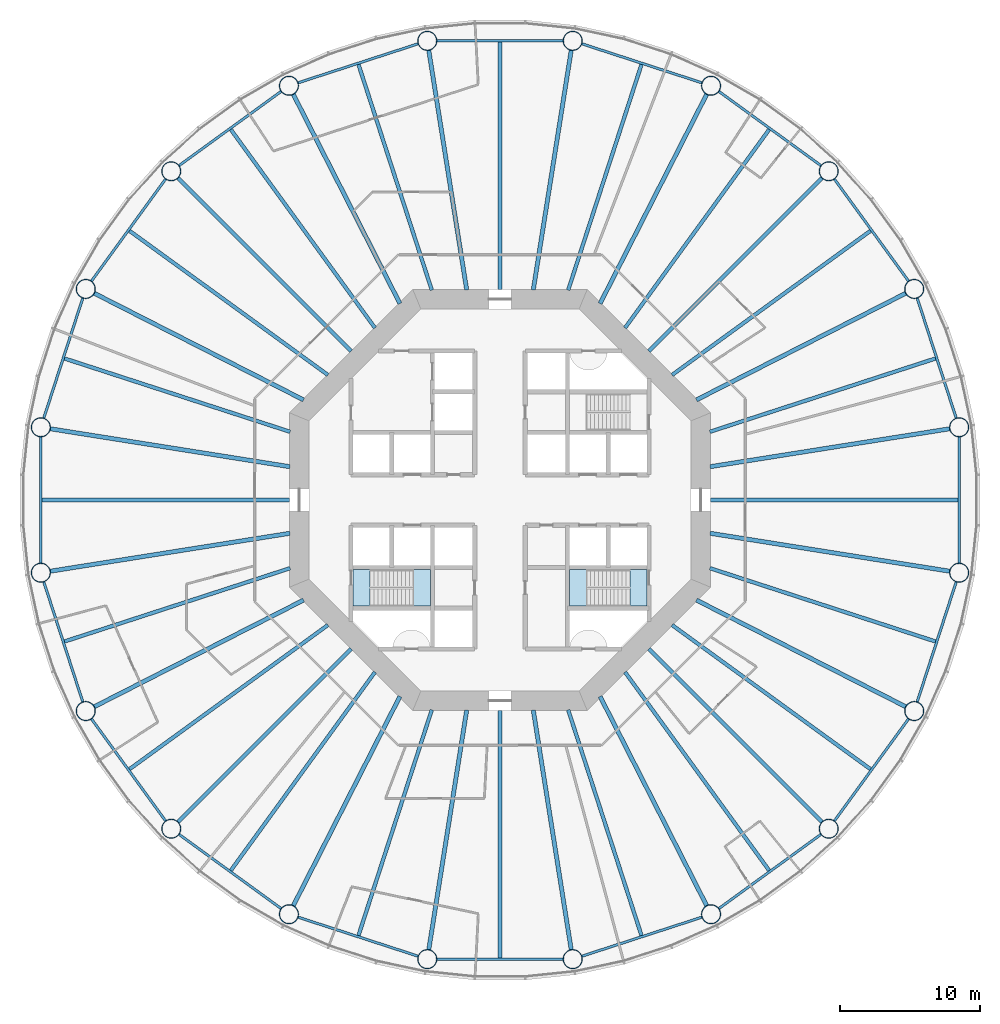
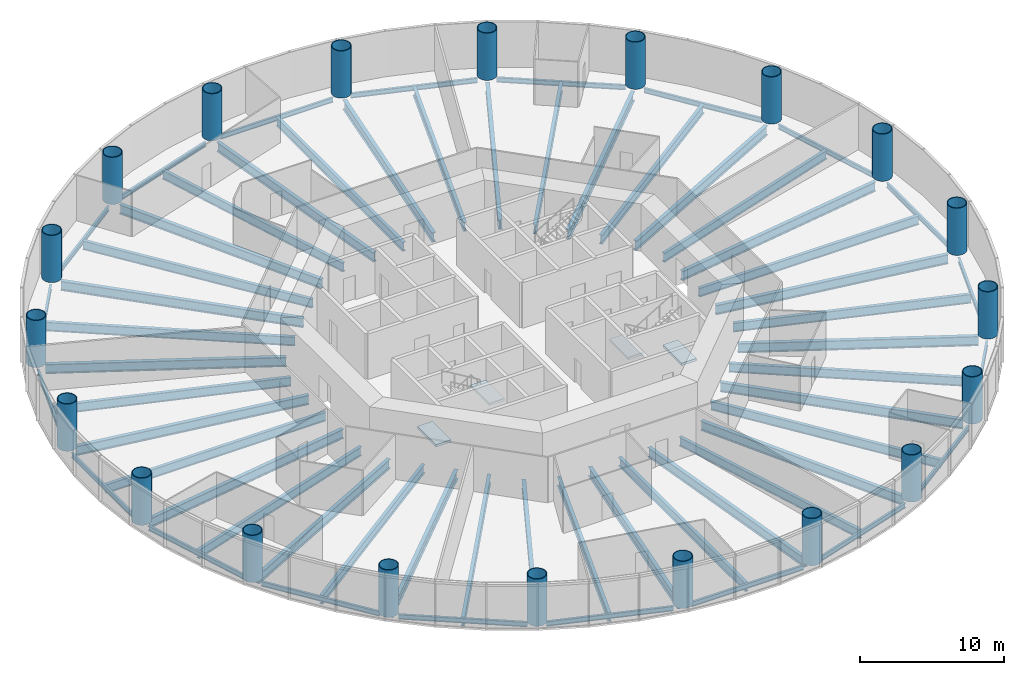
# One storey, part 1 of 13: 60 beams, 20 columns, 4 slabs, 2 elements without a shape of their own.
"""IFC4 building model written with IfcOpenShell, lengths in metres."""

from ifc_helpers import new_model, si_unit, direction, frame, origin, origin_2d, place, context, subcontext, project, spatial, polyline, circle, hollow_circle, i_section, outline, extrude, material, layer, layer_set, material_profile, profile_set, type_object, element, aggregate, save


model = new_model("IFC4")

# Units and contexts
model_context = context("Model", 3, precision=1e-05, world=origin(), true_north=direction((0.0, 1.0)))
body_context = subcontext(model_context, "Body", "Model", "MODEL_VIEW")
ifc_project = project(units=[si_unit("LENGTHUNIT", "METRE"), si_unit("AREAUNIT", "SQUARE_METRE"), si_unit("VOLUMEUNIT", "CUBIC_METRE"), si_unit("PLANEANGLEUNIT", "RADIAN"), si_unit("MASSUNIT", "GRAM", prefix="KILO")], contexts=[model_context])

# Site, building, storey
site_placement = place(None, origin())
site = spatial("IfcSite", under=ifc_project, at=site_placement, CompositionType="ELEMENT")
building_placement = place(site_placement, origin())
building = spatial("IfcBuilding", under=site, at=building_placement, Name="Entoto Ring Tower", CompositionType="ELEMENT")
storey_placement = place(building_placement, frame((0.0, 0.0, 22.0)))
storey = spatial("IfcBuildingStorey", under=building, at=storey_placement, Name="L03", CompositionType="ELEMENT", Elevation=22.0)

# Columns
ifc_material_1 = material(Name="Steel S355", Category="steel")
ifc_material_profile_1 = material_profile(ifc_material_1, hollow_circle(Radius=0.699951171875, WallThickness=0.06005859375, at=origin_2d()), Name="CHS 1400 x 60")
ifc_material_2 = material(Name="Concrete C60/75", Category="concrete")
ifc_material_profile_2 = material_profile(ifc_material_2, circle(Radius=0.639892578125, at=origin_2d()), Name="Concrete C60/75 infill")
ifc_profile_set_1 = profile_set([ifc_material_profile_1, ifc_material_profile_2], Name="Steel S355")
column_type = type_object("IfcColumnType", Name="Ring column 1400 x 60 concrete-filled tube", PredefinedType="COLUMN", material=ifc_profile_set_1)
for number, where, z_axis, x_axis, name in (
    (1, (122.6923828125, 85.177978515625, 0.0), (0.0, 0.0, 1.0), (1.0, 0.0, 0.0), "RC1 R01"),
    (2, (119.492431640625, 95.027099609375, 0.0), (0.0, 0.0, 1.0), (1.0, 0.0, 0.0), "RC1 R02"),
    (3, (113.4052734375, 103.4052734375, 0.0), (0.0, 0.0, 1.0), (1.0, 0.0, 0.0), "RC1 R03"),
    (4, (105.027099609375, 109.492431640625, 0.0), (0.0, 0.0, 1.0), (1.0, 0.0, 0.0), "RC1 R04"),
    (5, (95.177978515625, 112.6923828125, 0.0), (0.0, 0.0, 1.0), (1.0, 0.0, 0.0), "RC1 R05"),
    (6, (84.822021484375, 112.6923828125, 0.0), (0.0, 0.0, 1.0), (1.0, 0.0, 0.0), "RC1 R06"),
    (7, (74.972900390625, 109.492431640625, 0.0), (0.0, 0.0, 1.0), (1.0, 0.0, 0.0), "RC1 R07"),
    (8, (66.5947265625, 103.4052734375, 0.0), (0.0, 0.0, 1.0), (1.0, 0.0, 0.0), "RC1 R08"),
    (9, (60.507568359375, 95.027099609375, 0.0), (0.0, 0.0, 1.0), (1.0, 0.0, 0.0), "RC1 R09"),
    (10, (57.3076171875, 85.177978515625, 0.0), (0.0, 0.0, 1.0), (1.0, 0.0, 0.0), "RC1 R10"),
    (11, (57.3076171875, 74.822021484375, 0.0), (0.0, 0.0, 1.0), (1.0, 0.0, 0.0), "RC1 R11"),
    (12, (60.507568359375, 64.972900390625, 0.0), (0.0, 0.0, 1.0), (1.0, 0.0, 0.0), "RC1 R12"),
    (13, (66.5947265625, 56.5947265625, 0.0), (0.0, 0.0, 1.0), (1.0, 0.0, 0.0), "RC1 R13"),
    (14, (74.972900390625, 50.507568359375, 0.0), (0.0, 0.0, 1.0), (1.0, 0.0, 0.0), "RC1 R14"),
    (15, (84.822021484375, 47.3076171875, 0.0), (0.0, 0.0, 1.0), (1.0, 0.0, 0.0), "RC1 R15"),
    (16, (95.177978515625, 47.3076171875, 0.0), (0.0, 0.0, 1.0), (1.0, 0.0, 0.0), "RC1 R16"),
    (17, (105.027099609375, 50.507568359375, 0.0), (0.0, 0.0, 1.0), (1.0, 0.0, 0.0), "RC1 R17"),
    (18, (113.4052734375, 56.5947265625, 0.0), (0.0, 0.0, 1.0), (1.0, 0.0, 0.0), "RC1 R18"),
    (19, (119.492431640625, 64.972900390625, 0.0), (0.0, 0.0, 1.0), (1.0, 0.0, 0.0), "RC1 R19"),
    (20, (122.6923828125, 74.822021484375, 0.0), (0.0, 0.0, 1.0), (1.0, 0.0, 0.0), "RC1 R20"),
):
    element("IfcColumn", number, at=place(storey_placement, frame(where, z_axis=z_axis, x_axis=x_axis)), inside=storey, type_object=column_type, Name=name, PredefinedType="COLUMN", context=body_context, shape_type="SweptSolid", body=[
        extrude(hollow_circle(Radius=0.699951171875, WallThickness=0.06005859375, at=origin_2d()), origin(), (0.0, 0.0, 1.0), 4.0),
    ])

# Beams
ifc_material_3 = material(Name="Steel S355", Category="steel")
ifc_material_profile_3 = material_profile(ifc_material_3, i_section(OverallWidth=0.179931640625, OverallDepth=0.39990234375, WebThickness=0.008544921875, FlangeThickness=0.013427734375, FilletRadius=0.02099609375, at=origin_2d()), Name="IPE 400")
ifc_profile_set_2 = profile_set([ifc_material_profile_3], Name="Steel S355")
beam_type_1 = type_object("IfcBeamType", Name="Edge beam IPE 400", PredefinedType="SPANDREL", material=ifc_profile_set_2)
for number, where, z_axis, x_axis, name in (
    (21, (122.484130859375, 85.819091796875, -0.35009765625), (-0.309006400295, 0.951059958455, 0.0), (-0.951059958455, -0.309006400295, 0.0), "Edge beam L03 01"),
    (22, (119.09619140625, 95.572509765625, -0.35009765625), (-0.587792917156, 0.80901142547, 0.0), (-0.80901142547, -0.587792917156, 0.0), "Edge beam L03 02"),
    (23, (112.85986328125, 103.801513671875, -0.35009765625), (-0.80901142547, 0.587792917156, 0.0), (-0.587792917156, -0.80901142547, 0.0), "Edge beam L03 03"),
    (24, (104.385986328125, 109.70068359375, -0.35009765625), (-0.951059958455, 0.309006400295, 0.0), (-0.309006400295, -0.951059958455, 0.0), "Edge beam L03 04"),
    (25, (94.50390625, 112.6923828125, -0.35009765625), (-1.0, 0.0, 0.0), (0.0, -1.0, 0.0), "Edge beam L03 05"),
    (26, (84.180908203125, 112.484130859375, -0.35009765625), (-0.951059958455, -0.309006400295, 0.0), (0.309006400295, -0.951059958455, 0.0), "Edge beam L03 06"),
    (27, (74.427490234375, 109.09619140625, -0.35009765625), (-0.80901142547, -0.587792917156, 0.0), (0.587792917156, -0.80901142547, 0.0), "Edge beam L03 07"),
    (28, (66.198486328125, 102.85986328125, -0.35009765625), (-0.587792917156, -0.80901142547, 0.0), (0.80901142547, -0.587792917156, 0.0), "Edge beam L03 08"),
    (29, (60.29931640625, 94.385986328125, -0.35009765625), (-0.309006400295, -0.951059958455, 0.0), (0.951059958455, -0.309006400295, 0.0), "Edge beam L03 09"),
    (30, (57.3076171875, 84.50390625, -0.35009765625), (0.0, -1.0, 0.0), (1.0, 0.0, 0.0), "Edge beam L03 10"),
    (31, (57.515869140625, 74.180908203125, -0.35009765625), (0.309006400295, -0.951059958455, 0.0), (0.951059958455, 0.309006400295, 0.0), "Edge beam L03 11"),
    (32, (60.90380859375, 64.427490234375, -0.35009765625), (0.587792917156, -0.80901142547, 0.0), (0.80901142547, 0.587792917156, 0.0), "Edge beam L03 12"),
    (33, (67.14013671875, 56.198486328125, -0.35009765625), (0.80901142547, -0.587792917156, 0.0), (0.587792917156, 0.80901142547, 0.0), "Edge beam L03 13"),
    (34, (75.614013671875, 50.29931640625, -0.35009765625), (0.951059958455, -0.309006400295, 0.0), (0.309006400295, 0.951059958455, 0.0), "Edge beam L03 14"),
    (35, (85.49609375, 47.3076171875, -0.35009765625), (1.0, 0.0, 0.0), (0.0, 1.0, 0.0), "Edge beam L03 15"),
    (36, (95.819091796875, 47.515869140625, -0.35009765625), (0.951059958455, 0.309006400295, 0.0), (-0.309006400295, 0.951059958455, 0.0), "Edge beam L03 16"),
    (37, (105.572509765625, 50.90380859375, -0.35009765625), (0.80901142547, 0.587792917156, 0.0), (-0.587792917156, 0.80901142547, 0.0), "Edge beam L03 17"),
    (38, (113.801513671875, 57.14013671875, -0.35009765625), (0.587792917156, 0.80901142547, 0.0), (-0.80901142547, 0.587792917156, 0.0), "Edge beam L03 18"),
    (39, (119.70068359375, 65.614013671875, -0.35009765625), (0.309006400295, 0.951059958455, 0.0), (-0.951059958455, 0.309006400295, 0.0), "Edge beam L03 19"),
    (40, (122.6923828125, 75.49609375, -0.35009765625), (0.0, 1.0, 0.0), (-1.0, 0.0, 0.0), "Edge beam L03 20"),
):
    element("IfcBeam", number, at=place(storey_placement, frame(where, z_axis=z_axis, x_axis=x_axis)), inside=storey, type_object=beam_type_1, Name=name, PredefinedType="SPANDREL", context=body_context, shape_type="SweptSolid", body=[
        extrude(i_section(OverallWidth=0.179931640625, OverallDepth=0.39990234375, WebThickness=0.008544921875, FlangeThickness=0.013427734375, FilletRadius=0.02099609375, at=origin_2d()), origin(), (0.0, 0.0, 1.0), 9.0078125),
    ])
ifc_material_4 = material(Name="Steel S355", Category="steel")
ifc_material_profile_4 = material_profile(ifc_material_4, i_section(OverallWidth=0.300048828125, OverallDepth=0.800048828125, WebThickness=0.017578125, FlangeThickness=0.032958984375, FilletRadius=0.030029296875, at=origin_2d()), Name="HE 800 B")
ifc_profile_set_3 = profile_set([ifc_material_profile_4], Name="Steel S355")
beam_type_2 = type_object("IfcBeamType", Name="Primary floor beam HE 800 B", PredefinedType="BEAM", material=ifc_profile_set_3)
beam_1_placement = place(storey_placement, frame((104.956787109375, 82.368896484375, -0.550048828125), z_axis=(0.98768775999, 0.156438130794, 0.0), x_axis=(-0.156438130794, 0.98768775999, 0.0)))
element("IfcBeam", 41, at=beam_1_placement, inside=storey, type_object=beam_type_2, Name="Primary L03 R01", PredefinedType="BEAM", context=body_context, shape_type="SweptSolid", body=[
    extrude(i_section(OverallWidth=0.300048828125, OverallDepth=0.800048828125, WebThickness=0.017578125, FlangeThickness=0.032958984375, FilletRadius=0.030029296875, at=origin_2d()), origin(), (0.0, 0.0, 1.0), 17.293212890625),
])
beam_2_placement = place(storey_placement, frame((103.99169921875, 87.129150390625, -0.550048828125), z_axis=(0.891007761657, 0.453988071063, 0.0), x_axis=(-0.453988071063, 0.891007761657, 0.0)))
element("IfcBeam", 42, at=beam_2_placement, inside=storey, type_object=beam_type_2, Name="Primary L03 R02", PredefinedType="BEAM", context=body_context, shape_type="SweptSolid", body=[
    extrude(i_section(OverallWidth=0.300048828125, OverallDepth=0.800048828125, WebThickness=0.017578125, FlangeThickness=0.032958984375, FilletRadius=0.030029296875, at=origin_2d()), origin(), (0.0, 0.0, 1.0), 16.733154296875),
])
beam_3_placement = place(storey_placement, frame((100.592529296875, 90.592529296875, -0.550048828125), z_axis=(0.707106781187, 0.707106781187, 0.0), x_axis=(-0.707106781187, 0.707106781187, 0.0)))
element("IfcBeam", 43, at=beam_3_placement, inside=storey, type_object=beam_type_2, Name="Primary L03 R03", PredefinedType="BEAM", context=body_context, shape_type="SweptSolid", body=[
    extrude(i_section(OverallWidth=0.300048828125, OverallDepth=0.800048828125, WebThickness=0.017578125, FlangeThickness=0.032958984375, FilletRadius=0.030029296875, at=origin_2d()), origin(), (0.0, 0.0, 1.0), 17.456298828125),
])
beam_4_placement = place(storey_placement, frame((97.129150390625, 93.99169921875, -0.550048828125), z_axis=(0.453988071063, 0.891007761657, 0.0), x_axis=(-0.891007761657, 0.453988071063, 0.0)))
element("IfcBeam", 44, at=beam_4_placement, inside=storey, type_object=beam_type_2, Name="Primary L03 R04", PredefinedType="BEAM", context=body_context, shape_type="SweptSolid", body=[
    extrude(i_section(OverallWidth=0.300048828125, OverallDepth=0.800048828125, WebThickness=0.017578125, FlangeThickness=0.032958984375, FilletRadius=0.030029296875, at=origin_2d()), origin(), (0.0, 0.0, 1.0), 16.733154296875),
])
for number, where, z_axis, x_axis, name in (
    (45, (92.368896484375, 94.956787109375, -0.550048828125), (0.156438130794, 0.98768775999, 0.0), (-0.98768775999, 0.156438130794, 0.0), "Primary L03 R05"),
    (46, (87.631103515625, 94.956787109375, -0.550048828125), (-0.156438130794, 0.98768775999, 0.0), (-0.98768775999, -0.156438130794, 0.0), "Primary L03 R06"),
):
    element("IfcBeam", number, at=place(storey_placement, frame(where, z_axis=z_axis, x_axis=x_axis)), inside=storey, type_object=beam_type_2, Name=name, PredefinedType="BEAM", context=body_context, shape_type="SweptSolid", body=[
        extrude(i_section(OverallWidth=0.300048828125, OverallDepth=0.800048828125, WebThickness=0.017578125, FlangeThickness=0.032958984375, FilletRadius=0.030029296875, at=origin_2d()), origin(), (0.0, 0.0, 1.0), 17.293212890625),
    ])
beam_5_placement = place(storey_placement, frame((82.870849609375, 93.99169921875, -0.550048828125), z_axis=(-0.453988071063, 0.891007761657, 0.0), x_axis=(-0.891007761657, -0.453988071063, 0.0)))
element("IfcBeam", 47, at=beam_5_placement, inside=storey, type_object=beam_type_2, Name="Primary L03 R07", PredefinedType="BEAM", context=body_context, shape_type="SweptSolid", body=[
    extrude(i_section(OverallWidth=0.300048828125, OverallDepth=0.800048828125, WebThickness=0.017578125, FlangeThickness=0.032958984375, FilletRadius=0.030029296875, at=origin_2d()), origin(), (0.0, 0.0, 1.0), 16.733154296875),
])
beam_6_placement = place(storey_placement, frame((79.407470703125, 90.592529296875, -0.550048828125), z_axis=(-0.707106781187, 0.707106781187, 0.0), x_axis=(-0.707106781187, -0.707106781187, 0.0)))
element("IfcBeam", 48, at=beam_6_placement, inside=storey, type_object=beam_type_2, Name="Primary L03 R08", PredefinedType="BEAM", context=body_context, shape_type="SweptSolid", body=[
    extrude(i_section(OverallWidth=0.300048828125, OverallDepth=0.800048828125, WebThickness=0.017578125, FlangeThickness=0.032958984375, FilletRadius=0.030029296875, at=origin_2d()), origin(), (0.0, 0.0, 1.0), 17.456298828125),
])
beam_7_placement = place(storey_placement, frame((76.00830078125, 87.129150390625, -0.550048828125), z_axis=(-0.891007761657, 0.453988071063, 0.0), x_axis=(-0.453988071063, -0.891007761657, 0.0)))
element("IfcBeam", 49, at=beam_7_placement, inside=storey, type_object=beam_type_2, Name="Primary L03 R09", PredefinedType="BEAM", context=body_context, shape_type="SweptSolid", body=[
    extrude(i_section(OverallWidth=0.300048828125, OverallDepth=0.800048828125, WebThickness=0.017578125, FlangeThickness=0.032958984375, FilletRadius=0.030029296875, at=origin_2d()), origin(), (0.0, 0.0, 1.0), 16.733154296875),
])
for number, where, z_axis, x_axis, name in (
    (50, (75.043212890625, 82.368896484375, -0.550048828125), (-0.98768775999, 0.156438130794, 0.0), (-0.156438130794, -0.98768775999, 0.0), "Primary L03 R10"),
    (51, (75.043212890625, 77.631103515625, -0.550048828125), (-0.98768775999, -0.156438130794, 0.0), (0.156438130794, -0.98768775999, 0.0), "Primary L03 R11"),
):
    element("IfcBeam", number, at=place(storey_placement, frame(where, z_axis=z_axis, x_axis=x_axis)), inside=storey, type_object=beam_type_2, Name=name, PredefinedType="BEAM", context=body_context, shape_type="SweptSolid", body=[
        extrude(i_section(OverallWidth=0.300048828125, OverallDepth=0.800048828125, WebThickness=0.017578125, FlangeThickness=0.032958984375, FilletRadius=0.030029296875, at=origin_2d()), origin(), (0.0, 0.0, 1.0), 17.293212890625),
    ])
beam_8_placement = place(storey_placement, frame((76.00830078125, 72.870849609375, -0.550048828125), z_axis=(-0.891007761657, -0.453988071063, 0.0), x_axis=(0.453988071063, -0.891007761657, 0.0)))
element("IfcBeam", 52, at=beam_8_placement, inside=storey, type_object=beam_type_2, Name="Primary L03 R12", PredefinedType="BEAM", context=body_context, shape_type="SweptSolid", body=[
    extrude(i_section(OverallWidth=0.300048828125, OverallDepth=0.800048828125, WebThickness=0.017578125, FlangeThickness=0.032958984375, FilletRadius=0.030029296875, at=origin_2d()), origin(), (0.0, 0.0, 1.0), 16.733154296875),
])
beam_9_placement = place(storey_placement, frame((79.407470703125, 69.407470703125, -0.550048828125), z_axis=(-0.707106781187, -0.707106781187, 0.0), x_axis=(0.707106781187, -0.707106781187, 0.0)))
element("IfcBeam", 53, at=beam_9_placement, inside=storey, type_object=beam_type_2, Name="Primary L03 R13", PredefinedType="BEAM", context=body_context, shape_type="SweptSolid", body=[
    extrude(i_section(OverallWidth=0.300048828125, OverallDepth=0.800048828125, WebThickness=0.017578125, FlangeThickness=0.032958984375, FilletRadius=0.030029296875, at=origin_2d()), origin(), (0.0, 0.0, 1.0), 17.456298828125),
])
beam_10_placement = place(storey_placement, frame((82.870849609375, 66.00830078125, -0.550048828125), z_axis=(-0.453988071063, -0.891007761657, 0.0), x_axis=(0.891007761657, -0.453988071063, 0.0)))
element("IfcBeam", 54, at=beam_10_placement, inside=storey, type_object=beam_type_2, Name="Primary L03 R14", PredefinedType="BEAM", context=body_context, shape_type="SweptSolid", body=[
    extrude(i_section(OverallWidth=0.300048828125, OverallDepth=0.800048828125, WebThickness=0.017578125, FlangeThickness=0.032958984375, FilletRadius=0.030029296875, at=origin_2d()), origin(), (0.0, 0.0, 1.0), 16.733154296875),
])
for number, where, z_axis, x_axis, name in (
    (55, (87.631103515625, 65.043212890625, -0.550048828125), (-0.156438130794, -0.98768775999, 0.0), (0.98768775999, -0.156438130794, 0.0), "Primary L03 R15"),
    (56, (92.368896484375, 65.043212890625, -0.550048828125), (0.156438130794, -0.98768775999, 0.0), (0.98768775999, 0.156438130794, 0.0), "Primary L03 R16"),
):
    element("IfcBeam", number, at=place(storey_placement, frame(where, z_axis=z_axis, x_axis=x_axis)), inside=storey, type_object=beam_type_2, Name=name, PredefinedType="BEAM", context=body_context, shape_type="SweptSolid", body=[
        extrude(i_section(OverallWidth=0.300048828125, OverallDepth=0.800048828125, WebThickness=0.017578125, FlangeThickness=0.032958984375, FilletRadius=0.030029296875, at=origin_2d()), origin(), (0.0, 0.0, 1.0), 17.293212890625),
    ])
beam_11_placement = place(storey_placement, frame((97.129150390625, 66.00830078125, -0.550048828125), z_axis=(0.453988071063, -0.891007761657, 0.0), x_axis=(0.891007761657, 0.453988071063, 0.0)))
element("IfcBeam", 57, at=beam_11_placement, inside=storey, type_object=beam_type_2, Name="Primary L03 R17", PredefinedType="BEAM", context=body_context, shape_type="SweptSolid", body=[
    extrude(i_section(OverallWidth=0.300048828125, OverallDepth=0.800048828125, WebThickness=0.017578125, FlangeThickness=0.032958984375, FilletRadius=0.030029296875, at=origin_2d()), origin(), (0.0, 0.0, 1.0), 16.733154296875),
])
beam_12_placement = place(storey_placement, frame((100.592529296875, 69.407470703125, -0.550048828125), z_axis=(0.707106781187, -0.707106781187, 0.0), x_axis=(0.707106781187, 0.707106781187, 0.0)))
element("IfcBeam", 58, at=beam_12_placement, inside=storey, type_object=beam_type_2, Name="Primary L03 R18", PredefinedType="BEAM", context=body_context, shape_type="SweptSolid", body=[
    extrude(i_section(OverallWidth=0.300048828125, OverallDepth=0.800048828125, WebThickness=0.017578125, FlangeThickness=0.032958984375, FilletRadius=0.030029296875, at=origin_2d()), origin(), (0.0, 0.0, 1.0), 17.456298828125),
])
beam_13_placement = place(storey_placement, frame((103.99169921875, 72.870849609375, -0.550048828125), z_axis=(0.891007761657, -0.453988071063, 0.0), x_axis=(0.453988071063, 0.891007761657, 0.0)))
element("IfcBeam", 59, at=beam_13_placement, inside=storey, type_object=beam_type_2, Name="Primary L03 R19", PredefinedType="BEAM", context=body_context, shape_type="SweptSolid", body=[
    extrude(i_section(OverallWidth=0.300048828125, OverallDepth=0.800048828125, WebThickness=0.017578125, FlangeThickness=0.032958984375, FilletRadius=0.030029296875, at=origin_2d()), origin(), (0.0, 0.0, 1.0), 16.733154296875),
])
beam_14_placement = place(storey_placement, frame((104.956787109375, 77.631103515625, -0.550048828125), z_axis=(0.98768775999, -0.156438130794, 0.0), x_axis=(0.156438130794, 0.98768775999, 0.0)))
element("IfcBeam", 60, at=beam_14_placement, inside=storey, type_object=beam_type_2, Name="Primary L03 R20", PredefinedType="BEAM", context=body_context, shape_type="SweptSolid", body=[
    extrude(i_section(OverallWidth=0.300048828125, OverallDepth=0.800048828125, WebThickness=0.017578125, FlangeThickness=0.032958984375, FilletRadius=0.030029296875, at=origin_2d()), origin(), (0.0, 0.0, 1.0), 17.293212890625),
])
ifc_material_5 = material(Name="Steel S355", Category="steel")
ifc_material_profile_5 = material_profile(ifc_material_5, i_section(OverallWidth=0.262939453125, OverallDepth=0.7529296875, WebThickness=0.011474609375, FlangeThickness=0.01708984375, FilletRadius=0.01708984375, at=origin_2d()), Name="IPE 750 x 137")
ifc_profile_set_4 = profile_set([ifc_material_profile_5], Name="Steel S355")
beam_type_3 = type_object("IfcBeamType", Name="Secondary floor beam IPE 750 x 137", PredefinedType="JOIST", material=ifc_profile_set_4)
beam_15_placement = place(storey_placement, frame((104.9404296875, 84.8544921875, -0.526611328125), z_axis=(0.951057855768, 0.30901287187, 0.0), x_axis=(-0.30901287187, 0.951057855768, 0.0)))
element("IfcBeam", 61, at=beam_15_placement, inside=storey, type_object=beam_type_3, Name="Secondary beam L03 01", PredefinedType="JOIST", context=body_context, shape_type="SweptSolid", body=[
    extrude(i_section(OverallWidth=0.262939453125, OverallDepth=0.7529296875, WebThickness=0.011474609375, FlangeThickness=0.01708984375, FilletRadius=0.01708984375, at=origin_2d()), origin(), (0.0, 0.0, 1.0), 16.893310546875),
])
for number, where, z_axis, x_axis, name in (
    (62, (102.25341796875, 88.902587890625, -0.526611328125), (0.809014194973, 0.58778910532, 0.0), (-0.58778910532, 0.809014194973, 0.0), "Secondary beam L03 02"),
    (63, (98.902587890625, 92.25341796875, -0.526611328125), (0.58778910532, 0.809014194973, 0.0), (-0.809014194973, 0.58778910532, 0.0), "Secondary beam L03 03"),
):
    element("IfcBeam", number, at=place(storey_placement, frame(where, z_axis=z_axis, x_axis=x_axis)), inside=storey, type_object=beam_type_3, Name=name, PredefinedType="JOIST", context=body_context, shape_type="SweptSolid", body=[
        extrude(i_section(OverallWidth=0.262939453125, OverallDepth=0.7529296875, WebThickness=0.011474609375, FlangeThickness=0.01708984375, FilletRadius=0.01708984375, at=origin_2d()), origin(), (0.0, 0.0, 1.0), 17.45654296875),
    ])
beam_16_placement = place(storey_placement, frame((94.8544921875, 94.9404296875, -0.526611328125), z_axis=(0.30901287187, 0.951057855768, 0.0), x_axis=(-0.951057855768, 0.30901287187, 0.0)))
element("IfcBeam", 64, at=beam_16_placement, inside=storey, type_object=beam_type_3, Name="Secondary beam L03 04", PredefinedType="JOIST", context=body_context, shape_type="SweptSolid", body=[
    extrude(i_section(OverallWidth=0.262939453125, OverallDepth=0.7529296875, WebThickness=0.011474609375, FlangeThickness=0.01708984375, FilletRadius=0.01708984375, at=origin_2d()), origin(), (0.0, 0.0, 1.0), 16.893310546875),
])
beam_17_placement = place(storey_placement, frame((90.0, 94.97998046875, -0.526611328125), z_axis=(0.0, 1.0, 0.0), x_axis=(-1.0, 0.0, 0.0)))
element("IfcBeam", 65, at=beam_17_placement, inside=storey, type_object=beam_type_3, Name="Secondary beam L03 05", PredefinedType="JOIST", context=body_context, shape_type="SweptSolid", body=[
    extrude(i_section(OverallWidth=0.262939453125, OverallDepth=0.7529296875, WebThickness=0.011474609375, FlangeThickness=0.01708984375, FilletRadius=0.01708984375, at=origin_2d()), origin(), (0.0, 0.0, 1.0), 17.62255859375),
])
beam_18_placement = place(storey_placement, frame((85.1455078125, 94.9404296875, -0.526611328125), z_axis=(-0.30901287187, 0.951057855768, 0.0), x_axis=(-0.951057855768, -0.30901287187, 0.0)))
element("IfcBeam", 66, at=beam_18_placement, inside=storey, type_object=beam_type_3, Name="Secondary beam L03 06", PredefinedType="JOIST", context=body_context, shape_type="SweptSolid", body=[
    extrude(i_section(OverallWidth=0.262939453125, OverallDepth=0.7529296875, WebThickness=0.011474609375, FlangeThickness=0.01708984375, FilletRadius=0.01708984375, at=origin_2d()), origin(), (0.0, 0.0, 1.0), 16.893310546875),
])
for number, where, z_axis, x_axis, name in (
    (67, (81.097412109375, 92.25341796875, -0.526611328125), (-0.58778910532, 0.809014194973, 0.0), (-0.809014194973, -0.58778910532, 0.0), "Secondary beam L03 07"),
    (68, (77.74658203125, 88.902587890625, -0.526611328125), (-0.809014194973, 0.58778910532, 0.0), (-0.58778910532, -0.809014194973, 0.0), "Secondary beam L03 08"),
):
    element("IfcBeam", number, at=place(storey_placement, frame(where, z_axis=z_axis, x_axis=x_axis)), inside=storey, type_object=beam_type_3, Name=name, PredefinedType="JOIST", context=body_context, shape_type="SweptSolid", body=[
        extrude(i_section(OverallWidth=0.262939453125, OverallDepth=0.7529296875, WebThickness=0.011474609375, FlangeThickness=0.01708984375, FilletRadius=0.01708984375, at=origin_2d()), origin(), (0.0, 0.0, 1.0), 17.45654296875),
    ])
beam_19_placement = place(storey_placement, frame((75.0595703125, 84.8544921875, -0.526611328125), z_axis=(-0.951057855768, 0.30901287187, 0.0), x_axis=(-0.30901287187, -0.951057855768, 0.0)))
element("IfcBeam", 69, at=beam_19_placement, inside=storey, type_object=beam_type_3, Name="Secondary beam L03 09", PredefinedType="JOIST", context=body_context, shape_type="SweptSolid", body=[
    extrude(i_section(OverallWidth=0.262939453125, OverallDepth=0.7529296875, WebThickness=0.011474609375, FlangeThickness=0.01708984375, FilletRadius=0.01708984375, at=origin_2d()), origin(), (0.0, 0.0, 1.0), 16.893310546875),
])
beam_20_placement = place(storey_placement, frame((75.02001953125, 80.0, -0.526611328125), z_axis=(-1.0, 0.0, 0.0), x_axis=(0.0, -1.0, 0.0)))
element("IfcBeam", 70, at=beam_20_placement, inside=storey, type_object=beam_type_3, Name="Secondary beam L03 10", PredefinedType="JOIST", context=body_context, shape_type="SweptSolid", body=[
    extrude(i_section(OverallWidth=0.262939453125, OverallDepth=0.7529296875, WebThickness=0.011474609375, FlangeThickness=0.01708984375, FilletRadius=0.01708984375, at=origin_2d()), origin(), (0.0, 0.0, 1.0), 17.62255859375),
])
beam_21_placement = place(storey_placement, frame((75.0595703125, 75.1455078125, -0.526611328125), z_axis=(-0.951057855768, -0.30901287187, 0.0), x_axis=(0.30901287187, -0.951057855768, 0.0)))
element("IfcBeam", 71, at=beam_21_placement, inside=storey, type_object=beam_type_3, Name="Secondary beam L03 11", PredefinedType="JOIST", context=body_context, shape_type="SweptSolid", body=[
    extrude(i_section(OverallWidth=0.262939453125, OverallDepth=0.7529296875, WebThickness=0.011474609375, FlangeThickness=0.01708984375, FilletRadius=0.01708984375, at=origin_2d()), origin(), (0.0, 0.0, 1.0), 16.893310546875),
])
for number, where, z_axis, x_axis, name in (
    (72, (77.74658203125, 71.097412109375, -0.526611328125), (-0.809014194973, -0.58778910532, 0.0), (0.58778910532, -0.809014194973, 0.0), "Secondary beam L03 12"),
    (73, (81.097412109375, 67.74658203125, -0.526611328125), (-0.58778910532, -0.809014194973, 0.0), (0.809014194973, -0.58778910532, 0.0), "Secondary beam L03 13"),
):
    element("IfcBeam", number, at=place(storey_placement, frame(where, z_axis=z_axis, x_axis=x_axis)), inside=storey, type_object=beam_type_3, Name=name, PredefinedType="JOIST", context=body_context, shape_type="SweptSolid", body=[
        extrude(i_section(OverallWidth=0.262939453125, OverallDepth=0.7529296875, WebThickness=0.011474609375, FlangeThickness=0.01708984375, FilletRadius=0.01708984375, at=origin_2d()), origin(), (0.0, 0.0, 1.0), 17.45654296875),
    ])
beam_22_placement = place(storey_placement, frame((85.1455078125, 65.0595703125, -0.526611328125), z_axis=(-0.30901287187, -0.951057855768, 0.0), x_axis=(0.951057855768, -0.30901287187, 0.0)))
element("IfcBeam", 74, at=beam_22_placement, inside=storey, type_object=beam_type_3, Name="Secondary beam L03 14", PredefinedType="JOIST", context=body_context, shape_type="SweptSolid", body=[
    extrude(i_section(OverallWidth=0.262939453125, OverallDepth=0.7529296875, WebThickness=0.011474609375, FlangeThickness=0.01708984375, FilletRadius=0.01708984375, at=origin_2d()), origin(), (0.0, 0.0, 1.0), 16.893310546875),
])
beam_23_placement = place(storey_placement, frame((90.0, 65.02001953125, -0.526611328125), z_axis=(0.0, -1.0, 0.0), x_axis=(1.0, 0.0, 0.0)))
element("IfcBeam", 75, at=beam_23_placement, inside=storey, type_object=beam_type_3, Name="Secondary beam L03 15", PredefinedType="JOIST", context=body_context, shape_type="SweptSolid", body=[
    extrude(i_section(OverallWidth=0.262939453125, OverallDepth=0.7529296875, WebThickness=0.011474609375, FlangeThickness=0.01708984375, FilletRadius=0.01708984375, at=origin_2d()), origin(), (0.0, 0.0, 1.0), 17.62255859375),
])
beam_24_placement = place(storey_placement, frame((94.8544921875, 65.0595703125, -0.526611328125), z_axis=(0.30901287187, -0.951057855768, 0.0), x_axis=(0.951057855768, 0.30901287187, 0.0)))
element("IfcBeam", 76, at=beam_24_placement, inside=storey, type_object=beam_type_3, Name="Secondary beam L03 16", PredefinedType="JOIST", context=body_context, shape_type="SweptSolid", body=[
    extrude(i_section(OverallWidth=0.262939453125, OverallDepth=0.7529296875, WebThickness=0.011474609375, FlangeThickness=0.01708984375, FilletRadius=0.01708984375, at=origin_2d()), origin(), (0.0, 0.0, 1.0), 16.893310546875),
])
for number, where, z_axis, x_axis, name in (
    (77, (98.902587890625, 67.74658203125, -0.526611328125), (0.58778910532, -0.809014194973, 0.0), (0.809014194973, 0.58778910532, 0.0), "Secondary beam L03 17"),
    (78, (102.25341796875, 71.097412109375, -0.526611328125), (0.809014194973, -0.58778910532, 0.0), (0.58778910532, 0.809014194973, 0.0), "Secondary beam L03 18"),
):
    element("IfcBeam", number, at=place(storey_placement, frame(where, z_axis=z_axis, x_axis=x_axis)), inside=storey, type_object=beam_type_3, Name=name, PredefinedType="JOIST", context=body_context, shape_type="SweptSolid", body=[
        extrude(i_section(OverallWidth=0.262939453125, OverallDepth=0.7529296875, WebThickness=0.011474609375, FlangeThickness=0.01708984375, FilletRadius=0.01708984375, at=origin_2d()), origin(), (0.0, 0.0, 1.0), 17.45654296875),
    ])
beam_25_placement = place(storey_placement, frame((104.9404296875, 75.1455078125, -0.526611328125), z_axis=(0.951057855768, -0.30901287187, 0.0), x_axis=(0.30901287187, 0.951057855768, 0.0)))
element("IfcBeam", 79, at=beam_25_placement, inside=storey, type_object=beam_type_3, Name="Secondary beam L03 19", PredefinedType="JOIST", context=body_context, shape_type="SweptSolid", body=[
    extrude(i_section(OverallWidth=0.262939453125, OverallDepth=0.7529296875, WebThickness=0.011474609375, FlangeThickness=0.01708984375, FilletRadius=0.01708984375, at=origin_2d()), origin(), (0.0, 0.0, 1.0), 16.893310546875),
])
beam_26_placement = place(storey_placement, frame((104.97998046875, 80.0, -0.526611328125), z_axis=(1.0, 0.0, 0.0), x_axis=(0.0, 1.0, 0.0)))
element("IfcBeam", 80, at=beam_26_placement, inside=storey, type_object=beam_type_3, Name="Secondary beam L03 20", PredefinedType="JOIST", context=body_context, shape_type="SweptSolid", body=[
    extrude(i_section(OverallWidth=0.262939453125, OverallDepth=0.7529296875, WebThickness=0.011474609375, FlangeThickness=0.01708984375, FilletRadius=0.01708984375, at=origin_2d()), origin(), (0.0, 0.0, 1.0), 17.62255859375),
])

# Stair, slabs
ifc_material_6 = material(Name="Concrete C40/50", Category="concrete")
stair_type = type_object("IfcStairType", Name="Exit stair 1200 mm dog-leg reinforced concrete", PredefinedType="HALF_TURN_STAIR", material=ifc_material_6)
stair_1_placement = place(storey_placement, origin())
stair_1 = element("IfcStair", 81, at=stair_1_placement, inside=storey, type_object=stair_type, Name="Exit stair 2", PredefinedType="HALF_TURN_STAIR")
ifc_material_7 = material(Name="Concrete C40/50", Category="concrete")
ifc_layer = layer(ifc_material_7, 0.199951171875)
ifc_layer_set = layer_set([ifc_layer], Name="Concrete C40/50")
slab_type = type_object("IfcSlabType", Name="Stair landing 200 mm reinforced concrete", PredefinedType="LANDING", material=ifc_layer_set)
slab_1_placement = place(storey_placement, frame((0.0, 0.0, -0.199951171875)))
slab_1 = element("IfcSlab", 82, at=slab_1_placement, type_object=slab_type, Name="ST2 landing 1", PredefinedType="LANDING", context=body_context, shape_type="SweptSolid", body=[
    extrude(outline(polyline([(80.75, 72.449951171875), (80.75, 75.050048828125), (79.550048828125, 75.050048828125), (79.550048828125, 72.449951171875), (80.75, 72.449951171875)])), origin(), (0.0, 0.0, 1.0), 0.199951171875),
])
slab_2_placement = place(storey_placement, frame((0.0, 0.0, 1.800048828125)))
slab_2 = element("IfcSlab", 83, at=slab_2_placement, type_object=slab_type, Name="ST2 landing 2", PredefinedType="LANDING", context=body_context, shape_type="SweptSolid", body=[
    extrude(outline(polyline([(83.830078125, 72.449951171875), (85.050048828125, 72.449951171875), (85.050048828125, 75.050048828125), (83.830078125, 75.050048828125), (83.830078125, 72.449951171875)])), origin(), (0.0, 0.0, 1.0), 0.199951171875),
])
aggregate(stair_1, [slab_1, slab_2])

stair_2_placement = place(storey_placement, origin())
stair_2 = element("IfcStair", 84, at=stair_2_placement, inside=storey, type_object=stair_type, Name="Exit stair 3", PredefinedType="HALF_TURN_STAIR")
slab_3_placement = place(storey_placement, frame((0.0, 0.0, -0.199951171875)))
slab_3 = element("IfcSlab", 85, at=slab_3_placement, type_object=slab_type, Name="ST3 landing 1", PredefinedType="LANDING", context=body_context, shape_type="SweptSolid", body=[
    extrude(outline(polyline([(100.449951171875, 72.449951171875), (100.449951171875, 75.050048828125), (99.25, 75.050048828125), (99.25, 72.449951171875), (100.449951171875, 72.449951171875)])), origin(), (0.0, 0.0, 1.0), 0.199951171875),
])
slab_4_placement = place(storey_placement, frame((0.0, 0.0, 1.800048828125)))
slab_4 = element("IfcSlab", 86, at=slab_4_placement, type_object=slab_type, Name="ST3 landing 2", PredefinedType="LANDING", context=body_context, shape_type="SweptSolid", body=[
    extrude(outline(polyline([(94.949951171875, 72.449951171875), (96.169921875, 72.449951171875), (96.169921875, 75.050048828125), (94.949951171875, 75.050048828125), (94.949951171875, 72.449951171875)])), origin(), (0.0, 0.0, 1.0), 0.199951171875),
])
aggregate(stair_2, [slab_3, slab_4])

save(model, "model.ifc")
